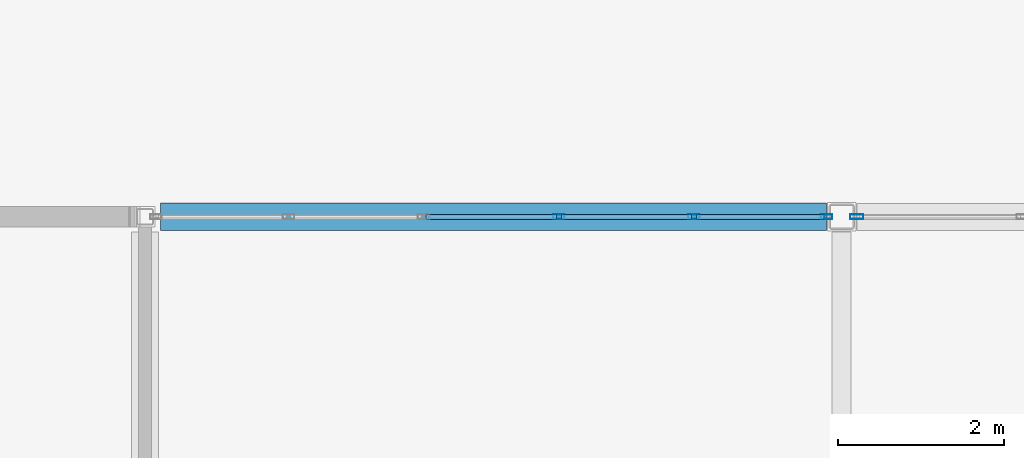
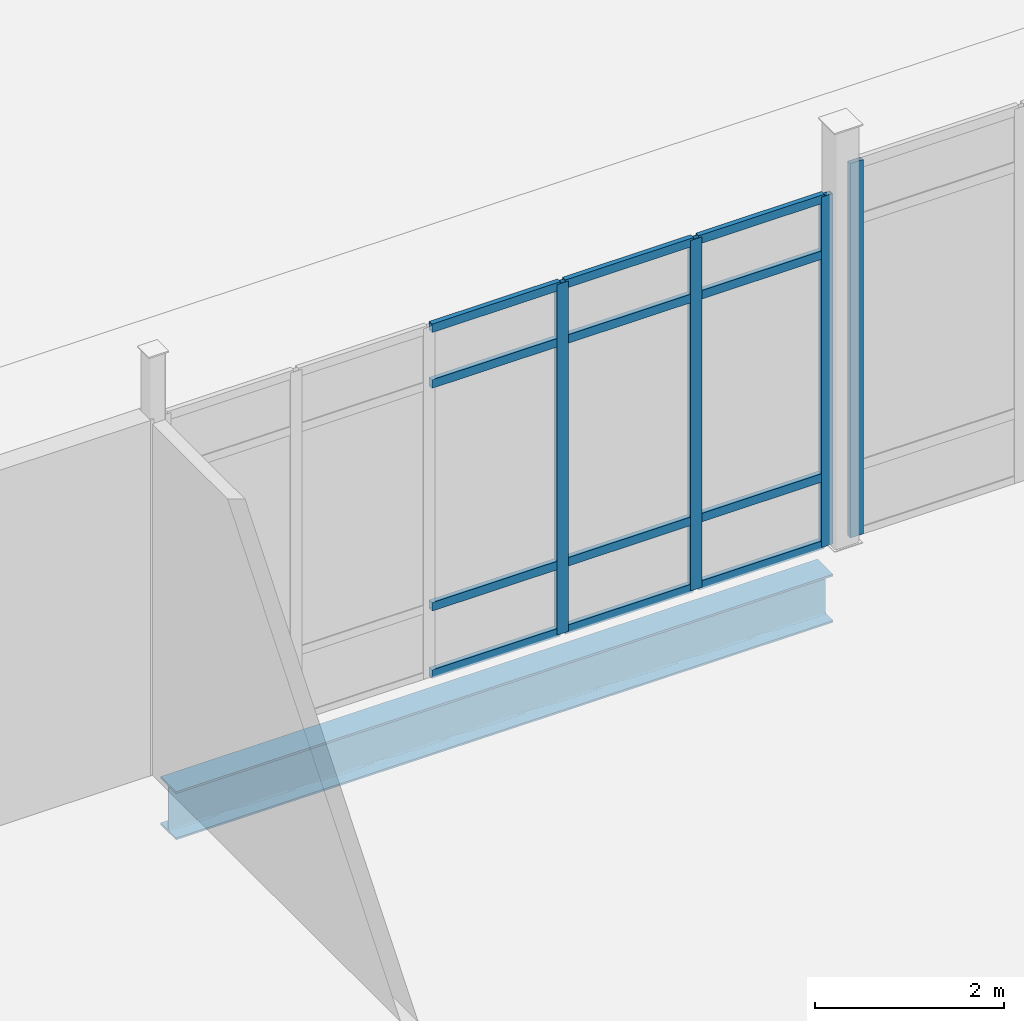
# One storey, part 71 of 229: 16 members, 1 beam, 2 elements without a shape of their own.
"""IFC4 building model written with IfcOpenShell, lengths in metres."""

from ifc_helpers import new_model, si_unit, direction, frame, origin, origin_2d, place, context, subcontext, project, spatial, hollow_rectangle, i_section, extrude, material, layer, layer_set, material_profile, profile_set, type_object, element, aggregate, save


model = new_model("IFC4")

# Units and contexts
model_context = context("Model", 3, precision=1e-05, world=origin(), true_north=direction((0.0, 1.0)))
body_context = subcontext(model_context, "Body", "Model", "MODEL_VIEW")
ifc_project = project(units=[si_unit("LENGTHUNIT", "METRE"), si_unit("AREAUNIT", "SQUARE_METRE"), si_unit("VOLUMEUNIT", "CUBIC_METRE"), si_unit("PLANEANGLEUNIT", "RADIAN"), si_unit("MASSUNIT", "GRAM", prefix="KILO")], contexts=[model_context])

# Site, building, storey
site_placement = place(None, origin())
site = spatial("IfcSite", under=ifc_project, at=site_placement, CompositionType="ELEMENT")
building_placement = place(site_placement, origin())
building = spatial("IfcBuilding", under=site, at=building_placement, Name="Calvrana Isthmian Art Gallery", CompositionType="ELEMENT")
storey_placement = place(building_placement, origin())
storey = spatial("IfcBuildingStorey", under=building, at=storey_placement, Name="L00", CompositionType="ELEMENT", Elevation=0.0)

# Beam
ifc_material_1 = material(Name="Steel ASTM A992 Gr 50", Category="steel")
ifc_material_profile_1 = material_profile(ifc_material_1, i_section(OverallWidth=0.327880859375, OverallDepth=0.6220703125, WebThickness=0.015380859375, FlangeThickness=0.0244140625, FilletRadius=0.02197265625, at=origin_2d()), Name="W24X131")
ifc_profile_set_1 = profile_set([ifc_material_profile_1], Name="Steel ASTM A992 Gr 50")
beam_type = type_object("IfcBeamType", Name="BM-G-W24X131", PredefinedType="BEAM", material=ifc_profile_set_1)
beam_placement = place(storey_placement, frame((21.78662109375, 69.60009765625, -0.595947265625), z_axis=(1.0, 0.0, 0.0), x_axis=(0.0, 1.0, 0.0)))
element("IfcBeam", 1, at=beam_placement, inside=storey, type_object=beam_type, Name="Girder X L00 04-05/J", PredefinedType="BEAM", context=body_context, shape_type="SweptSolid", body=[
    extrude(i_section(OverallWidth=0.327880859375, OverallDepth=0.6220703125, WebThickness=0.015380859375, FlangeThickness=0.0244140625, FilletRadius=0.02197265625, at=origin_2d()), origin(), (0.0, 0.0, 1.0), 8.02783203125),
])

# Curtain wall, members
ifc_material_2 = material(Name="Anodized bronze aluminium 6063-T6", Category="aluminium")
ifc_layer_1 = layer(ifc_material_2, 0.179931640625, Name="Anodized bronze aluminium 6063-T6")
ifc_layer_set_1 = layer_set([ifc_layer_1], Name="Anodized bronze aluminium 6063-T6")
curtain_wall_type_1 = type_object("IfcCurtainWallType", Name="CW-UNIT-081X45", PredefinedType="USERDEFINED", material=ifc_layer_set_1)
curtain_wall_1_placement = place(storey_placement, origin())
curtain_wall_1 = element("IfcCurtainWall", 2, at=curtain_wall_1_placement, inside=storey, type_object=curtain_wall_type_1, Name="Curtain wall CW-030", ObjectType="UNITISED CURTAIN WALL", PredefinedType="USERDEFINED")
ifc_material_profile_2 = material_profile(ifc_material_2, hollow_rectangle(XDim=0.06005859375, YDim=0.139892578125, WallThickness=0.00390625, at=origin_2d()), Name="CWM60X140")
ifc_profile_set_2 = profile_set([ifc_material_profile_2], Name="Anodized bronze aluminium 6063-T6")
member_type_1 = type_object("IfcMemberType", Name="CWM-CWM60X140", PredefinedType="MULLION", material=ifc_profile_set_2)
member_1_placement = place(storey_placement, frame((26.589111328125, 69.60009765625, 0.0), z_axis=(0.0, 0.0, 1.0), x_axis=(0.0, 1.0, 0.0)))
member_1 = element("IfcMember", 3, at=member_1_placement, type_object=member_type_1, Name="CW-030 mullion 4", PredefinedType="MULLION", context=body_context, shape_type="SweptSolid", body=[
    extrude(hollow_rectangle(XDim=0.06005859375, YDim=0.139892578125, WallThickness=0.00390625, at=origin_2d()), origin(), (0.0, 0.0, 1.0), 4.528076171875),
])
member_2_placement = place(storey_placement, frame((28.218505859375, 69.60009765625, 0.0), z_axis=(0.0, 0.0, 1.0), x_axis=(0.0, 1.0, 0.0)))
member_2 = element("IfcMember", 4, at=member_2_placement, type_object=member_type_1, Name="CW-030 mullion 5", PredefinedType="MULLION", context=body_context, shape_type="SweptSolid", body=[
    extrude(hollow_rectangle(XDim=0.06005859375, YDim=0.139892578125, WallThickness=0.00390625, at=origin_2d()), origin(), (0.0, 0.0, 1.0), 4.528076171875),
])
member_3_placement = place(storey_placement, frame((29.817626953125, 69.60009765625, 0.0), z_axis=(0.0, 0.0, 1.0), x_axis=(0.0, 1.0, 0.0)))
member_3 = element("IfcMember", 5, at=member_3_placement, type_object=member_type_1, Name="CW-030 mullion 6", PredefinedType="MULLION", context=body_context, shape_type="SweptSolid", body=[
    extrude(hollow_rectangle(XDim=0.06005859375, YDim=0.139892578125, WallThickness=0.00390625, at=origin_2d()), origin(), (0.0, 0.0, 1.0), 4.528076171875),
])

# Curtain wall, member
ifc_layer_2 = layer(ifc_material_2, 0.179931640625, Name="Anodized bronze aluminium 6063-T6")
ifc_layer_set_2 = layer_set([ifc_layer_2], Name="Anodized bronze aluminium 6063-T6")
curtain_wall_type_2 = type_object("IfcCurtainWallType", Name="CW-STICK-081X48", PredefinedType="NOTDEFINED", material=ifc_layer_set_2)
curtain_wall_2_placement = place(storey_placement, origin())
curtain_wall_2 = element("IfcCurtainWall", 6, at=curtain_wall_2_placement, inside=storey, type_object=curtain_wall_type_2, Name="Curtain wall CW-031", PredefinedType="NOTDEFINED")
ifc_material_profile_3 = material_profile(ifc_material_2, hollow_rectangle(XDim=0.06005859375, YDim=0.159912109375, WallThickness=0.00390625, at=origin_2d()), Name="CWM60X160")
ifc_profile_set_3 = profile_set([ifc_material_profile_3], Name="Anodized bronze aluminium 6063-T6")
member_type_2 = type_object("IfcMemberType", Name="CWM-CWM60X160", PredefinedType="MULLION", material=ifc_profile_set_3)
member_4_placement = place(storey_placement, frame((30.182373046875, 69.60009765625, 0.0), z_axis=(0.0, 0.0, 1.0), x_axis=(0.0, 1.0, 0.0)))
member_4 = element("IfcMember", 7, at=member_4_placement, type_object=member_type_2, Name="CW-031 mullion 1", PredefinedType="MULLION", context=body_context, shape_type="SweptSolid", body=[
    extrude(hollow_rectangle(XDim=0.06005859375, YDim=0.159912109375, WallThickness=0.00390625, at=origin_2d()), origin(), (0.0, 0.0, 1.0), 4.835205078125),
])
aggregate(curtain_wall_2, [member_4])

# Member
ifc_material_profile_4 = material_profile(ifc_material_2, hollow_rectangle(XDim=0.06005859375, YDim=0.110107421875, WallThickness=0.00341796875, at=origin_2d()), Name="CWT60X110")
ifc_profile_set_4 = profile_set([ifc_material_profile_4], Name="Anodized bronze aluminium 6063-T6")
member_type_3 = type_object("IfcMemberType", Name="CWT-CWT60X110", PredefinedType="USERDEFINED", material=ifc_profile_set_4)
member_5_placement = place(storey_placement, frame((24.989990234375, 69.60009765625, 0.030029296875), z_axis=(1.0, 0.0, 0.0), x_axis=(0.0, 1.0, 0.0)))
member_5 = element("IfcMember", 8, at=member_5_placement, type_object=member_type_3, Name="CW-030 transom 3.1", ObjectType="TRANSOM", PredefinedType="USERDEFINED", context=body_context, shape_type="SweptSolid", body=[
    extrude(hollow_rectangle(XDim=0.06005859375, YDim=0.110107421875, WallThickness=0.00341796875, at=origin_2d()), origin(), (0.0, 0.0, 1.0), 1.569091796875),
])

member_6_placement = place(storey_placement, frame((24.989990234375, 69.60009765625, 0.89990234375), z_axis=(1.0, 0.0, 0.0), x_axis=(0.0, 1.0, 0.0)))
member_6 = element("IfcMember", 9, at=member_6_placement, type_object=member_type_3, Name="CW-030 transom 3.2", ObjectType="TRANSOM", PredefinedType="USERDEFINED", context=body_context, shape_type="SweptSolid", body=[
    extrude(hollow_rectangle(XDim=0.06005859375, YDim=0.110107421875, WallThickness=0.00341796875, at=origin_2d()), origin(), (0.0, 0.0, 1.0), 1.569091796875),
])

member_7_placement = place(storey_placement, frame((24.989990234375, 69.60009765625, 3.778076171875), z_axis=(1.0, 0.0, 0.0), x_axis=(0.0, 1.0, 0.0)))
member_7 = element("IfcMember", 10, at=member_7_placement, type_object=member_type_3, Name="CW-030 transom 3.3", ObjectType="TRANSOM", PredefinedType="USERDEFINED", context=body_context, shape_type="SweptSolid", body=[
    extrude(hollow_rectangle(XDim=0.06005859375, YDim=0.110107421875, WallThickness=0.00341796875, at=origin_2d()), origin(), (0.0, 0.0, 1.0), 1.569091796875),
])

member_8_placement = place(storey_placement, frame((24.989990234375, 69.60009765625, 4.498046875), z_axis=(1.0, 0.0, 0.0), x_axis=(0.0, 1.0, 0.0)))
member_8 = element("IfcMember", 11, at=member_8_placement, type_object=member_type_3, Name="CW-030 transom 3.4", ObjectType="TRANSOM", PredefinedType="USERDEFINED", context=body_context, shape_type="SweptSolid", body=[
    extrude(hollow_rectangle(XDim=0.06005859375, YDim=0.110107421875, WallThickness=0.00341796875, at=origin_2d()), origin(), (0.0, 0.0, 1.0), 1.569091796875),
])

member_9_placement = place(storey_placement, frame((26.619140625, 69.60009765625, 0.030029296875), z_axis=(1.0, 0.0, 0.0), x_axis=(0.0, 1.0, 0.0)))
member_9 = element("IfcMember", 12, at=member_9_placement, type_object=member_type_3, Name="CW-030 transom 4.1", ObjectType="TRANSOM", PredefinedType="USERDEFINED", context=body_context, shape_type="SweptSolid", body=[
    extrude(hollow_rectangle(XDim=0.06005859375, YDim=0.110107421875, WallThickness=0.00341796875, at=origin_2d()), origin(), (0.0, 0.0, 1.0), 1.5693359375),
])

member_10_placement = place(storey_placement, frame((26.619140625, 69.60009765625, 0.89990234375), z_axis=(1.0, 0.0, 0.0), x_axis=(0.0, 1.0, 0.0)))
member_10 = element("IfcMember", 13, at=member_10_placement, type_object=member_type_3, Name="CW-030 transom 4.2", ObjectType="TRANSOM", PredefinedType="USERDEFINED", context=body_context, shape_type="SweptSolid", body=[
    extrude(hollow_rectangle(XDim=0.06005859375, YDim=0.110107421875, WallThickness=0.00341796875, at=origin_2d()), origin(), (0.0, 0.0, 1.0), 1.5693359375),
])

member_11_placement = place(storey_placement, frame((26.619140625, 69.60009765625, 3.778076171875), z_axis=(1.0, 0.0, 0.0), x_axis=(0.0, 1.0, 0.0)))
member_11 = element("IfcMember", 14, at=member_11_placement, type_object=member_type_3, Name="CW-030 transom 4.3", ObjectType="TRANSOM", PredefinedType="USERDEFINED", context=body_context, shape_type="SweptSolid", body=[
    extrude(hollow_rectangle(XDim=0.06005859375, YDim=0.110107421875, WallThickness=0.00341796875, at=origin_2d()), origin(), (0.0, 0.0, 1.0), 1.5693359375),
])

member_12_placement = place(storey_placement, frame((26.619140625, 69.60009765625, 4.498046875), z_axis=(1.0, 0.0, 0.0), x_axis=(0.0, 1.0, 0.0)))
member_12 = element("IfcMember", 15, at=member_12_placement, type_object=member_type_3, Name="CW-030 transom 4.4", ObjectType="TRANSOM", PredefinedType="USERDEFINED", context=body_context, shape_type="SweptSolid", body=[
    extrude(hollow_rectangle(XDim=0.06005859375, YDim=0.110107421875, WallThickness=0.00341796875, at=origin_2d()), origin(), (0.0, 0.0, 1.0), 1.5693359375),
])

member_13_placement = place(storey_placement, frame((28.248291015625, 69.60009765625, 0.030029296875), z_axis=(1.0, 0.0, 0.0), x_axis=(0.0, 1.0, 0.0)))
member_13 = element("IfcMember", 16, at=member_13_placement, type_object=member_type_3, Name="CW-030 transom 5.1", ObjectType="TRANSOM", PredefinedType="USERDEFINED", context=body_context, shape_type="SweptSolid", body=[
    extrude(hollow_rectangle(XDim=0.06005859375, YDim=0.110107421875, WallThickness=0.00341796875, at=origin_2d()), origin(), (0.0, 0.0, 1.0), 1.539306640625),
])

member_14_placement = place(storey_placement, frame((28.248291015625, 69.60009765625, 0.89990234375), z_axis=(1.0, 0.0, 0.0), x_axis=(0.0, 1.0, 0.0)))
member_14 = element("IfcMember", 17, at=member_14_placement, type_object=member_type_3, Name="CW-030 transom 5.2", ObjectType="TRANSOM", PredefinedType="USERDEFINED", context=body_context, shape_type="SweptSolid", body=[
    extrude(hollow_rectangle(XDim=0.06005859375, YDim=0.110107421875, WallThickness=0.00341796875, at=origin_2d()), origin(), (0.0, 0.0, 1.0), 1.539306640625),
])

member_15_placement = place(storey_placement, frame((28.248291015625, 69.60009765625, 3.778076171875), z_axis=(1.0, 0.0, 0.0), x_axis=(0.0, 1.0, 0.0)))
member_15 = element("IfcMember", 18, at=member_15_placement, type_object=member_type_3, Name="CW-030 transom 5.3", ObjectType="TRANSOM", PredefinedType="USERDEFINED", context=body_context, shape_type="SweptSolid", body=[
    extrude(hollow_rectangle(XDim=0.06005859375, YDim=0.110107421875, WallThickness=0.00341796875, at=origin_2d()), origin(), (0.0, 0.0, 1.0), 1.539306640625),
])

member_16_placement = place(storey_placement, frame((28.248291015625, 69.60009765625, 4.498046875), z_axis=(1.0, 0.0, 0.0), x_axis=(0.0, 1.0, 0.0)))
member_16 = element("IfcMember", 19, at=member_16_placement, type_object=member_type_3, Name="CW-030 transom 5.4", ObjectType="TRANSOM", PredefinedType="USERDEFINED", context=body_context, shape_type="SweptSolid", body=[
    extrude(hollow_rectangle(XDim=0.06005859375, YDim=0.110107421875, WallThickness=0.00341796875, at=origin_2d()), origin(), (0.0, 0.0, 1.0), 1.539306640625),
])

aggregate(curtain_wall_1, [member_1, member_2, member_3, member_5, member_6, member_7, member_8, member_9, member_10, member_11, member_12, member_13, member_14, member_15, member_16])

save(model, "model.ifc")
